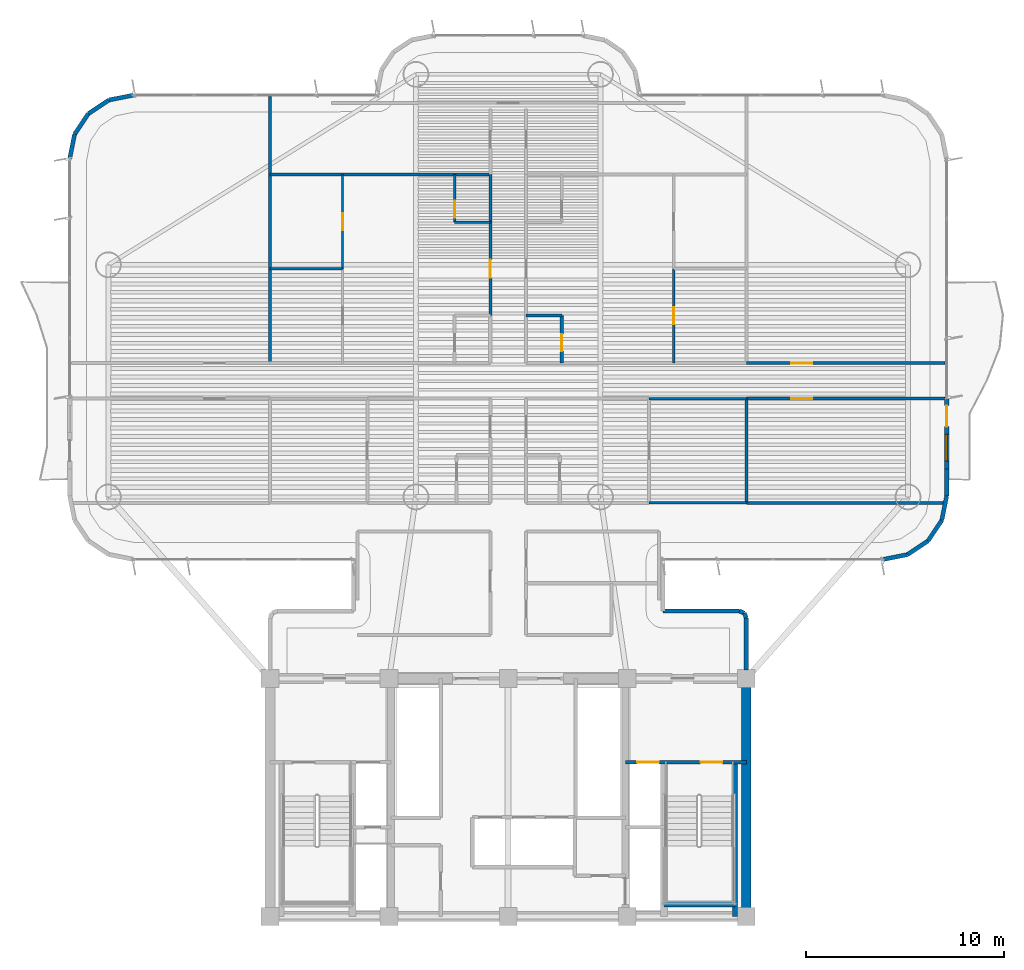
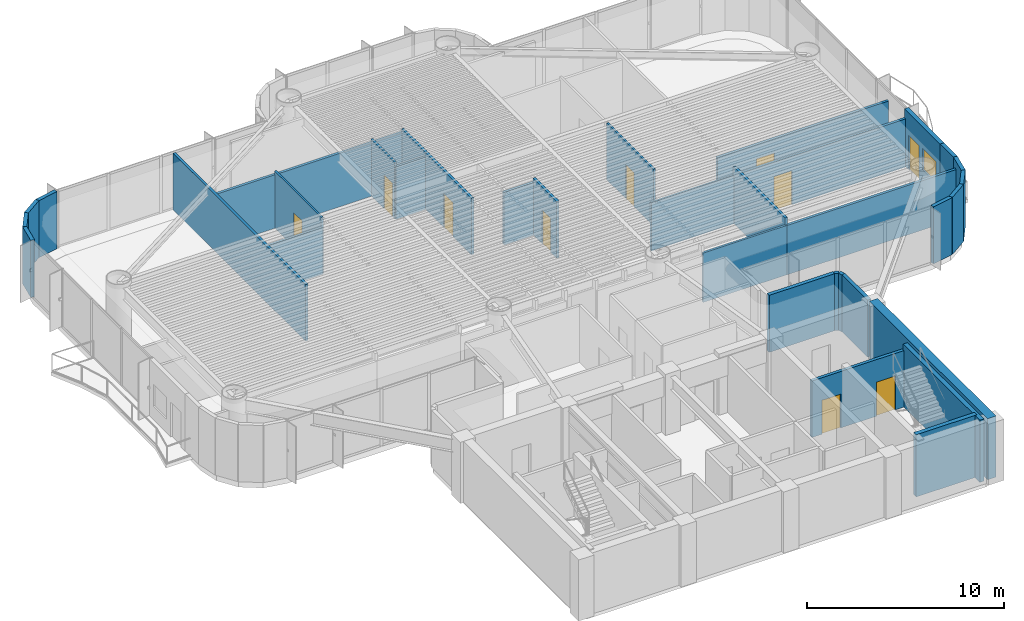
# One storey, part 11 of 17: 35 walls, 10 doors, 1 window, 11 openings.
"""IFC4 building model written with IfcOpenShell, lengths in metres."""

from ifc_helpers import new_model, si_unit, direction, frame, frame_2d, origin, origin_2d, place, context, subcontext, project, spatial, rectangle, extrude, source, transform, mapped, material, layer, layer_set, type_object, element, fill, save


model = new_model("IFC4")

# Units and contexts
model_context = context("Model", 3, precision=1e-05, world=origin(), true_north=direction((0.0, 1.0)))
body_context = subcontext(model_context, "Body", "Model", "MODEL_VIEW")
ifc_project = project(units=[si_unit("LENGTHUNIT", "METRE"), si_unit("AREAUNIT", "SQUARE_METRE"), si_unit("VOLUMEUNIT", "CUBIC_METRE"), si_unit("PLANEANGLEUNIT", "RADIAN"), si_unit("MASSUNIT", "GRAM", prefix="KILO")], contexts=[model_context])

# Site, building, storey
site_placement = place(None, origin())
site = spatial("IfcSite", under=ifc_project, at=site_placement, CompositionType="ELEMENT")
building_placement = place(site_placement, origin())
building = spatial("IfcBuilding", under=site, at=building_placement, Name="Brelvock Crest Care Tower", CompositionType="ELEMENT")
storey_placement = place(building_placement, frame((0.0, 0.0, 89.820068359375)))
storey = spatial("IfcBuildingStorey", under=building, at=storey_placement, Name="L22", CompositionType="ELEMENT", Elevation=89.820068359375)

# Walls
ifc_material_1 = material(Name="Concrete S80 (80 MPa)", Category="concrete")
ifc_layer_1 = layer(ifc_material_1, 0.5, Name="WL-CS2")
ifc_layer_set_1 = layer_set([ifc_layer_1], Name="Concrete S80 (80 MPa)")
wall_type_1 = type_object("IfcWallType", Name="WL-CS2", PredefinedType="SHEAR", material=ifc_layer_set_1)
wall_1_placement = place(storey_placement, frame((48.0, 18.0, 0.0), z_axis=(0.0, 0.0, 1.0), x_axis=(0.0, -1.0, 0.0)))
element("IfcWall", 1, at=wall_1_placement, inside=storey, type_object=wall_type_1, Name="L22 Core East Shear Wall", PredefinedType="SHEAR", context=body_context, shape_type="SweptSolid", body=[
    extrude(rectangle(XDim=12.0, YDim=0.5, at=frame_2d((6.0, 0.0))), origin(), (0.0, 0.0, 1.0), 3.780029296875),
])
ifc_layer_2 = layer(ifc_material_1, 0.25, Name="WL-CS6")
ifc_layer_set_2 = layer_set([ifc_layer_2], Name="Concrete S80 (80 MPa)")
wall_type_2 = type_object("IfcWallType", Name="WL-CS6", PredefinedType="SHEAR", material=ifc_layer_set_2)
wall_2_placement = place(storey_placement, frame((47.419921875, 6.0, 0.0), z_axis=(0.0, 0.0, 1.0), x_axis=(0.0, 1.0, 0.0)))
element("IfcWall", 2, at=wall_2_placement, inside=storey, type_object=wall_type_2, Name="L22 Core Stair ST-2 East Shear Wall", PredefinedType="SHEAR", context=body_context, shape_type="SweptSolid", body=[
    extrude(rectangle(XDim=7.780029296875, YDim=0.25, at=frame_2d((3.89013671875, 0.0))), origin(), (0.0, 0.0, 1.0), 3.849853515625),
])
wall_3_placement = place(storey_placement, frame((43.85009765625, 6.6201171875, 0.0), z_axis=(0.0, 0.0, 1.0), x_axis=(1.0, 0.0, 0.0)))
element("IfcWall", 3, at=wall_3_placement, inside=storey, type_object=wall_type_2, Name="L22 Core Stair ST-2 South Shear Wall", PredefinedType="SHEAR", context=body_context, shape_type="SweptSolid", body=[
    extrude(rectangle(XDim=3.56982421875, YDim=0.25, at=frame_2d((1.784912109375, 0.0))), origin(), (0.0, 0.0, 1.0), 3.849853515625),
])

# Wall, openings, door, window
ifc_material_2 = material(Name="Precast concrete N40 (40 MPa)", Category="concrete")
ifc_layer_3 = layer(ifc_material_2, 0.239990234375, Name="WL-EX1")
ifc_layer_set_3 = layer_set([ifc_layer_3], Name="Precast concrete N40 (40 MPa)")
wall_type_3 = type_object("IfcWallType", Name="WL-EX1", PredefinedType="SOLIDWALL", material=ifc_layer_set_3)
wall_4_placement = place(storey_placement, frame((58.10009765625, 32.14990234375, 0.0), z_axis=(0.0, 0.0, 1.0), x_axis=(0.0, -1.0, 0.0)))
wall_4 = element("IfcWall", 4, at=wall_4_placement, inside=storey, type_object=wall_type_3, Name="L22 Exterior Spandrel Wall WL-BAL-L22-E", PredefinedType="SOLIDWALL", context=body_context, shape_type="SweptSolid", body=[
    extrude(rectangle(XDim=3.599853515625, YDim=0.239990234375, at=frame_2d((1.7998046875, 0.0))), origin(), (0.0, 0.0, 1.0), 3.530029296875),
])
opening_1_placement = place(wall_4_placement, frame((0.39990234375, 0.0, 0.0)))
opening_1 = element("IfcOpeningElement", 5, at=opening_1_placement, cuts=wall_4, Name="Opening BD-1", PredefinedType="OPENING", context=body_context, shape_type="SweptSolid", body=[
    extrude(rectangle(XDim=1.050048828125, YDim=2.14990234375, at=origin_2d()), frame((0.52490234375, 0.1298828125, 1.074951171875), z_axis=(0.0, -1.0, 0.0), x_axis=(1.0, 0.0, 0.0)), (0.0, 0.0, 1.0), 0.260009765625),
])
opening_2_placement = place(wall_4_placement, frame((1.85009765625, 0.0, 0.85009765625)))
opening_2 = element("IfcOpeningElement", 6, at=opening_2_placement, cuts=wall_4, Name="Opening W-01", PredefinedType="OPENING", context=body_context, shape_type="SweptSolid", body=[
    extrude(rectangle(XDim=1.35009765625, YDim=1.35009765625, at=origin_2d()), frame((0.675048828125, 0.1298828125, 0.675048828125), z_axis=(0.0, -1.0, 0.0), x_axis=(1.0, 0.0, 0.0)), (0.0, 0.0, 1.0), 0.260009765625),
])
ifc_material_3 = material(Name="Dark Glass Double Glazed Low-E", Category="glass")
door_type_1 = type_object("IfcDoorType", Name="DR-BAL1", OperationType="NOTDEFINED", PredefinedType="DOOR", material=ifc_material_3)
shared_shape_1 = source(origin(), body_context, "Body", "SweptSolid", [
    extrude(rectangle(XDim=1.050048828125, YDim=2.14990234375, at=origin_2d()), frame((0.52490234375, 0.02490234375, 1.074951171875), z_axis=(0.0, -1.0, 0.0), x_axis=(1.0, 0.0, 0.0)), (0.0, 0.0, 1.0), 0.050048828125),
])
door_1_placement = place(opening_1_placement, origin())
door_1 = element("IfcDoor", 7, at=door_1_placement, inside=storey, type_object=door_type_1, Name="L22 E Wave Balcony Glazed Door", OperationType="SINGLE_SWING_RIGHT", OverallHeight=2.14990234375, OverallWidth=1.050048828125, PredefinedType="DOOR", context=body_context, shape_type="MappedRepresentation", body=[
    mapped(shared_shape_1, transform((0.0, 0.0, 0.0), x_axis=(1.0, 0.0, 0.0), y_axis=(0.0, 1.0, 0.0), z_axis=(0.0, 0.0, 1.0), scale=1.0)),
])
fill(opening_1, door_1)
window_type = type_object("IfcWindowType", Name="WN-EX1", PartitioningType="SINGLE_PANEL", PredefinedType="WINDOW", material=ifc_material_3)
shared_shape_2 = source(origin(), body_context, "Body", "SweptSolid", [
    extrude(rectangle(XDim=1.35009765625, YDim=1.35009765625, at=origin_2d()), frame((0.675048828125, 0.030029296875, 0.675048828125), z_axis=(0.0, -1.0, 0.0), x_axis=(1.0, 0.0, 0.0)), (0.0, 0.0, 1.0), 0.06005859375),
])
window_placement = place(opening_2_placement, origin())
window = element("IfcWindow", 8, at=window_placement, inside=storey, type_object=window_type, Name="L22 E Suite Casement Window", OverallHeight=1.35009765625, OverallWidth=1.35009765625, PartitioningType="SINGLE_PANEL", PredefinedType="WINDOW", context=body_context, shape_type="MappedRepresentation", body=[
    mapped(shared_shape_2, transform((0.0, 0.0, 0.0), x_axis=(1.0, 0.0, 0.0), y_axis=(0.0, 1.0, 0.0), z_axis=(0.0, 0.0, 1.0), scale=1.0)),
])
fill(opening_2, window)

# Walls
ifc_layer_4 = layer(ifc_material_2, 0.215087890625, Name="WL-EX2")
ifc_layer_set_4 = layer_set([ifc_layer_4], Name="Precast concrete N40 (40 MPa)")
wall_type_4 = type_object("IfcWallType", Name="WL-EX2", PredefinedType="SOLIDWALL", material=ifc_layer_set_4)
wall_5_placement = place(storey_placement, frame((47.8974609375, 21.297607421875, 0.0), z_axis=(0.0, 0.0, 1.0), x_axis=(0.382673670509, -0.923883575944, 0.0)))
element("IfcWall", 9, at=wall_5_placement, inside=storey, type_object=wall_type_4, Name="L22 Rounded Corner Wall 00", PredefinedType="SOLIDWALL", context=body_context, shape_type="SweptSolid", body=[
    extrude(rectangle(XDim=0.26806640625, YDim=0.215087890625, at=frame_2d((0.134033203125, 0.0))), origin(), (0.0, 0.0, 1.0), 3.530029296875),
])
wall_6_placement = place(storey_placement, frame((48.0, 21.050048828125, 0.0), z_axis=(0.0, 0.0, 1.0), x_axis=(0.0, -1.0, 0.0)))
element("IfcWall", 10, at=wall_6_placement, inside=storey, type_object=wall_type_4, Name="L22 Rounded Corner Wall 01", PredefinedType="SOLIDWALL", context=body_context, shape_type="SweptSolid", body=[
    extrude(rectangle(XDim=2.6201171875, YDim=0.215087890625, at=frame_2d((1.31005859375, 0.0))), origin(), (0.0, 0.0, 1.0), 3.530029296875),
])
for number, where, z_axis, x_axis, name in (
    (11, (13.89990234375, 44.199951171875, 0.0), (0.0, 0.0, 1.0), (0.195138390419, 0.980775717779, 0.0), "L22 Rounded Corner Wall 18"),
    (12, (14.1435546875, 45.424560546875, 0.0), (0.0, 0.0, 1.0), (0.555692485475, 0.831387912822, 0.0), "L22 Rounded Corner Wall 19"),
    (13, (14.83740234375, 46.462646484375, 0.0), (0.0, 0.0, 1.0), (0.831387912822, 0.555692485475, 0.0), "L22 Rounded Corner Wall 20"),
    (14, (15.87548828125, 47.156494140625, 0.0), (0.0, 0.0, 1.0), (0.980813122964, 0.194950295773, 0.0), "L22 Rounded Corner Wall 21"),
):
    element("IfcWall", number, at=place(storey_placement, frame(where, z_axis=z_axis, x_axis=x_axis)), inside=storey, type_object=wall_type_4, Name=name, PredefinedType="SOLIDWALL", context=body_context, shape_type="SweptSolid", body=[
        extrude(rectangle(XDim=1.24853515625, YDim=0.215087890625, at=frame_2d((0.624267578125, 0.0))), origin(), (0.0, 0.0, 1.0), 3.530029296875),
    ])
wall_7_placement = place(storey_placement, frame((58.10009765625, 28.550048828125, 0.0), z_axis=(0.0, 0.0, 1.0), x_axis=(0.0, -1.0, 0.0)))
element("IfcWall", 15, at=wall_7_placement, inside=storey, type_object=wall_type_4, Name="L22 Exterior Spandrel Pier E39B", PredefinedType="SOLIDWALL", context=body_context, shape_type="SweptSolid", body=[
    extrude(rectangle(XDim=1.35009765625, YDim=0.215087890625, at=frame_2d((0.675048828125, 0.0))), origin(), (0.0, 0.0, 1.0), 3.530029296875),
])
for number, where, z_axis, x_axis, name in (
    (16, (58.10009765625, 27.199951171875, 0.0), (0.0, 0.0, 1.0), (-0.195138390419, -0.980775717779, 0.0), "L22 Rounded Corner Wall 40"),
    (17, (57.8564453125, 25.975341796875, 0.0), (0.0, 0.0, 1.0), (-0.555692485475, -0.831387912822, 0.0), "L22 Rounded Corner Wall 41"),
    (18, (57.16259765625, 24.937255859375, 0.0), (0.0, 0.0, 1.0), (-0.831478245117, -0.555557312883, 0.0), "L22 Rounded Corner Wall 42"),
    (19, (56.12451171875, 24.24365234375, 0.0), (0.0, 0.0, 1.0), (-0.980775717779, -0.195138390419, 0.0), "L22 Rounded Corner Wall 43"),
):
    element("IfcWall", number, at=place(storey_placement, frame(where, z_axis=z_axis, x_axis=x_axis)), inside=storey, type_object=wall_type_4, Name=name, PredefinedType="SOLIDWALL", context=body_context, shape_type="SweptSolid", body=[
        extrude(rectangle(XDim=1.24853515625, YDim=0.215087890625, at=frame_2d((0.624267578125, 0.0))), origin(), (0.0, 0.0, 1.0), 3.530029296875),
    ])
wall_8_placement = place(storey_placement, frame((43.800048828125, 21.39990234375, 0.0), z_axis=(0.0, 0.0, 1.0), x_axis=(1.0, 0.0, 0.0)))
element("IfcWall", 20, at=wall_8_placement, inside=storey, type_object=wall_type_4, Name="L22 Rounded Corner Wall 46", PredefinedType="SOLIDWALL", context=body_context, shape_type="SweptSolid", body=[
    extrude(rectangle(XDim=3.849853515625, YDim=0.215087890625, at=frame_2d((1.9248046875, 0.0))), origin(), (0.0, 0.0, 1.0), 3.530029296875),
])
wall_9_placement = place(storey_placement, frame((47.64990234375, 21.39990234375, 0.0), z_axis=(0.0, 0.0, 1.0), x_axis=(0.924205486139, -0.381895560841, 0.0)))
element("IfcWall", 21, at=wall_9_placement, inside=storey, type_object=wall_type_4, Name="L22 Rounded Corner Wall 47", PredefinedType="SOLIDWALL", context=body_context, shape_type="SweptSolid", body=[
    extrude(rectangle(XDim=0.267822265625, YDim=0.215087890625, at=frame_2d((0.1337890625, 0.0))), origin(), (0.0, 0.0, 1.0), 3.530029296875),
])
ifc_material_4 = material(Name="Masonry Blockwork Acoustic Partition", Category="masonry")
ifc_layer_5 = layer(ifc_material_4, 0.14990234375, Name="WL-INT1")
ifc_layer_set_5 = layer_set([ifc_layer_5], Name="Masonry Blockwork Acoustic Partition")
wall_type_5 = type_object("IfcWallType", Name="WL-INT1", PredefinedType="PARTITIONING", material=ifc_layer_set_5)
wall_10_placement = place(storey_placement, frame((48.0, 26.85009765625, 0.0), z_axis=(0.0, 0.0, 1.0), x_axis=(1.0, 0.0, 0.0)))
element("IfcWall", 22, at=wall_10_placement, inside=storey, type_object=wall_type_5, Name="L22 Interior Wall WL-BX-L22-ISEO-S", PredefinedType="PARTITIONING", context=body_context, shape_type="SweptSolid", body=[
    extrude(rectangle(XDim=9.94873046875, YDim=0.14990234375, at=frame_2d((4.974365234375, 0.0))), origin(), (0.0, 0.0, 1.0), 3.054931640625),
])

# Wall, opening, door
wall_11_placement = place(storey_placement, frame((48.0, 32.10009765625, 0.0), z_axis=(0.0, 0.0, 1.0), x_axis=(1.0, 0.0, 0.0)))
wall_11 = element("IfcWall", 23, at=wall_11_placement, inside=storey, type_object=wall_type_5, Name="L22 Interior Wall WL-RM-L22-ISEO", PredefinedType="PARTITIONING", context=body_context, shape_type="SweptSolid", body=[
    extrude(rectangle(XDim=10.02001953125, YDim=0.14990234375, at=frame_2d((5.010009765625, 0.0))), origin(), (0.0, 0.0, 1.0), 2.98193359375),
])
opening_3_placement = place(wall_11_placement, frame((2.27490234375, 0.0, 0.0)))
opening_3 = element("IfcOpeningElement", 24, at=opening_3_placement, cuts=wall_11, Name="Opening CLD-1", PredefinedType="OPENING", context=body_context, shape_type="SweptSolid", body=[
    extrude(rectangle(XDim=1.050048828125, YDim=2.10009765625, at=origin_2d()), frame((0.52490234375, 0.0849609375, 1.050048828125), z_axis=(0.0, -1.0, 0.0), x_axis=(1.0, 0.0, 0.0)), (0.0, 0.0, 1.0), 0.169921875),
])
ifc_material_5 = material(Name="Engineered Hardwood Timber", Category="wood")
door_type_2 = type_object("IfcDoorType", Name="DR-CLN1", OperationType="NOTDEFINED", PredefinedType="DOOR", material=ifc_material_5)
shared_shape_3 = source(origin(), body_context, "Body", "SweptSolid", [
    extrude(rectangle(XDim=1.050048828125, YDim=2.10009765625, at=origin_2d()), frame((0.52490234375, 0.02490234375, 1.050048828125), z_axis=(0.0, -1.0, 0.0), x_axis=(1.0, 0.0, 0.0)), (0.0, 0.0, 1.0), 0.050048828125),
])
door_2_placement = place(opening_3_placement, origin())
door_2 = element("IfcDoor", 25, at=door_2_placement, inside=storey, type_object=door_type_2, Name="L22 Resident Harbour Study Door ISEO", OperationType="SINGLE_SWING_LEFT", OverallHeight=2.10009765625, OverallWidth=1.050048828125, PredefinedType="DOOR", context=body_context, shape_type="MappedRepresentation", body=[
    mapped(shared_shape_3, transform((0.0, 0.0, 0.0), x_axis=(1.0, 0.0, 0.0), y_axis=(0.0, 1.0, 0.0), z_axis=(0.0, 0.0, 1.0), scale=1.0)),
])
fill(opening_3, door_2)

wall_12_placement = place(storey_placement, frame((48.0, 33.89990234375, 0.0), z_axis=(0.0, 0.0, 1.0), x_axis=(1.0, 0.0, 0.0)))
wall_12 = element("IfcWall", 26, at=wall_12_placement, inside=storey, type_object=wall_type_5, Name="L22 Interior Wall WL-RM-L22-INEO", PredefinedType="PARTITIONING", context=body_context, shape_type="SweptSolid", body=[
    extrude(rectangle(XDim=10.02001953125, YDim=0.14990234375, at=frame_2d((5.010009765625, 0.0))), origin(), (0.0, 0.0, 1.0), 2.98193359375),
])
opening_4_placement = place(wall_12_placement, frame((2.27490234375, 0.0, 0.0)))
opening_4 = element("IfcOpeningElement", 27, at=opening_4_placement, cuts=wall_12, Name="Opening CLD-1", PredefinedType="OPENING", context=body_context, shape_type="SweptSolid", body=[
    extrude(rectangle(XDim=1.050048828125, YDim=2.10009765625, at=origin_2d()), frame((0.52490234375, 0.0849609375, 1.050048828125), z_axis=(0.0, -1.0, 0.0), x_axis=(1.0, 0.0, 0.0)), (0.0, 0.0, 1.0), 0.169921875),
])
door_3_placement = place(opening_4_placement, origin())
door_3 = element("IfcDoor", 28, at=door_3_placement, inside=storey, type_object=door_type_2, Name="L22 Resident Harbour Study Door INEO", OperationType="SINGLE_SWING_LEFT", OverallHeight=2.10009765625, OverallWidth=1.050048828125, PredefinedType="DOOR", context=body_context, shape_type="MappedRepresentation", body=[
    mapped(shared_shape_3, transform((0.0, 0.0, 0.0), x_axis=(1.0, 0.0, 0.0), y_axis=(0.0, 1.0, 0.0), z_axis=(0.0, 0.0, 1.0), scale=1.0)),
])
fill(opening_4, door_3)

# Walls
wall_13_placement = place(storey_placement, frame((24.0, 43.39990234375, 0.0), z_axis=(0.0, 0.0, 1.0), x_axis=(1.0, 0.0, 0.0)))
element("IfcWall", 29, at=wall_13_placement, inside=storey, type_object=wall_type_5, Name="L22 Interior Wall WL-BX-L22-FL-INWI-N", PredefinedType="PARTITIONING", context=body_context, shape_type="SweptSolid", body=[
    extrude(rectangle(XDim=11.10009765625, YDim=0.14990234375, at=frame_2d((5.550048828125, 0.0))), origin(), (0.0, 0.0, 1.0), 3.307861328125),
])
wall_14_placement = place(storey_placement, frame((24.0, 33.89990234375, 0.0), z_axis=(0.0, 0.0, 1.0), x_axis=(0.0, 1.0, 0.0)))
element("IfcWall", 30, at=wall_14_placement, inside=storey, type_object=wall_type_5, Name="L22 Interior Wall WL-BX-L22-INWO-E", PredefinedType="PARTITIONING", context=body_context, shape_type="SweptSolid", body=[
    extrude(rectangle(XDim=13.4208984375, YDim=0.14990234375, at=frame_2d((6.71044921875, 0.0))), origin(), (0.0, 0.0, 1.0), 3.5),
])

# Wall, opening, door
wall_15_placement = place(storey_placement, frame((35.10009765625, 36.300048828125, 0.0), z_axis=(0.0, 0.0, 1.0), x_axis=(0.0, 1.0, 0.0)))
wall_15 = element("IfcWall", 31, at=wall_15_placement, inside=storey, type_object=wall_type_5, Name="L22 Interior Wall WL-UENT-L22-INWI", PredefinedType="PARTITIONING", context=body_context, shape_type="SweptSolid", body=[
    extrude(rectangle(XDim=4.699951171875, YDim=0.14990234375, at=frame_2d((2.35009765625, 0.0))), origin(), (0.0, 0.0, 1.0), 3.5),
])
opening_5_placement = place(wall_15_placement, frame((1.889892578125, 0.0, 0.0)))
opening_5 = element("IfcOpeningElement", 32, at=opening_5_placement, cuts=wall_15, Name="Opening AD-1", PredefinedType="OPENING", context=body_context, shape_type="SweptSolid", body=[
    extrude(rectangle(XDim=0.919921875, YDim=2.10009765625, at=origin_2d()), frame((0.4599609375, 0.0849609375, 1.050048828125), z_axis=(0.0, -1.0, 0.0), x_axis=(1.0, 0.0, 0.0)), (0.0, 0.0, 1.0), 0.169921875),
])
door_type_3 = type_object("IfcDoorType", Name="DR-APT1", OperationType="NOTDEFINED", PredefinedType="DOOR", material=ifc_material_5)
shared_shape_4 = source(origin(), body_context, "Body", "SweptSolid", [
    extrude(rectangle(XDim=0.919921875, YDim=2.10009765625, at=origin_2d()), frame((0.4599609375, 0.02490234375, 1.050048828125), z_axis=(0.0, -1.0, 0.0), x_axis=(1.0, 0.0, 0.0)), (0.0, 0.0, 1.0), 0.050048828125),
])
door_4_placement = place(opening_5_placement, origin())
door_4 = element("IfcDoor", 33, at=door_4_placement, inside=storey, type_object=door_type_3, Name="L22 Apartment Entrance INWI", OperationType="SINGLE_SWING_LEFT", OverallHeight=2.10009765625, OverallWidth=0.919921875, PredefinedType="DOOR", context=body_context, shape_type="MappedRepresentation", body=[
    mapped(shared_shape_4, transform((0.0, 0.0, 0.0), x_axis=(1.0, 0.0, 0.0), y_axis=(0.0, 1.0, 0.0), z_axis=(0.0, 0.0, 1.0), scale=1.0)),
])
fill(opening_5, door_4)

# Walls
wall_16_placement = place(storey_placement, frame((35.10009765625, 41.0, 0.0), z_axis=(0.0, 0.0, 1.0), x_axis=(0.0, 1.0, 0.0)))
element("IfcWall", 34, at=wall_16_placement, inside=storey, type_object=wall_type_5, Name="L22 Interior Wall WL-UCK-L22-INWI", PredefinedType="PARTITIONING", context=body_context, shape_type="SweptSolid", body=[
    extrude(rectangle(XDim=2.39990234375, YDim=0.14990234375, at=frame_2d((1.199951171875, 0.0))), origin(), (0.0, 0.0, 1.0), 3.5),
])
wall_17_placement = place(storey_placement, frame((48.0, 26.85009765625, 0.0), z_axis=(0.0, 0.0, 1.0), x_axis=(0.0, 1.0, 0.0)))
element("IfcWall", 35, at=wall_17_placement, inside=storey, type_object=wall_type_5, Name="L22 Interior Wall WL-BX-L22-ISEIS-E", PredefinedType="PARTITIONING", context=body_context, shape_type="SweptSolid", body=[
    extrude(rectangle(XDim=5.25, YDim=0.14990234375, at=frame_2d((2.625, 0.0))), origin(), (0.0, 0.0, 1.0), 3.5),
])
ifc_material_6 = material(Name="Gypsum Plasterboard Partition", Category="gypsum")
ifc_layer_6 = layer(ifc_material_6, 0.1201171875, Name="WL-INT2")
ifc_layer_set_6 = layer_set([ifc_layer_6], Name="Gypsum Plasterboard Partition")
wall_type_6 = type_object("IfcWallType", Name="WL-INT2", PredefinedType="PARTITIONING", material=ifc_layer_set_6)
wall_18_placement = place(storey_placement, frame((43.10009765625, 26.85009765625, 0.0), z_axis=(0.0, 0.0, 1.0), x_axis=(1.0, 0.0, 0.0)))
element("IfcWall", 36, at=wall_18_placement, inside=storey, type_object=wall_type_6, Name="L22 Interior Wall WL-BX-L22-ISEIS-S", PredefinedType="PARTITIONING", context=body_context, shape_type="SweptSolid", body=[
    extrude(rectangle(XDim=4.89990234375, YDim=0.1201171875, at=frame_2d((2.449951171875, 0.0))), origin(), (0.0, 0.0, 1.0), 3.054931640625),
])
wall_19_placement = place(storey_placement, frame((43.10009765625, 32.10009765625, 0.0), z_axis=(0.0, 0.0, 1.0), x_axis=(1.0, 0.0, 0.0)))
element("IfcWall", 37, at=wall_19_placement, inside=storey, type_object=wall_type_6, Name="L22 Interior Wall WL-BX-L22-ISEIS-N", PredefinedType="PARTITIONING", context=body_context, shape_type="SweptSolid", body=[
    extrude(rectangle(XDim=4.89990234375, YDim=0.1201171875, at=frame_2d((2.449951171875, 0.0))), origin(), (0.0, 0.0, 1.0), 2.98193359375),
])
wall_20_placement = place(storey_placement, frame((24.0, 38.64990234375, 0.0), z_axis=(0.0, 0.0, 1.0), x_axis=(1.0, 0.0, 0.0)))
element("IfcWall", 38, at=wall_20_placement, inside=storey, type_object=wall_type_6, Name="L22 Interior Wall WL-UBSP-L22-INWI", PredefinedType="PARTITIONING", context=body_context, shape_type="SweptSolid", body=[
    extrude(rectangle(XDim=3.64990234375, YDim=0.1201171875, at=frame_2d((1.824951171875, 0.0))), origin(), (0.0, 0.0, 1.0), 2.90283203125),
])
wall_21_placement = place(storey_placement, frame((33.300048828125, 41.0, 0.0), z_axis=(0.0, 0.0, 1.0), x_axis=(1.0, 0.0, 0.0)))
element("IfcWall", 39, at=wall_21_placement, inside=storey, type_object=wall_type_6, Name="L22 Interior Wall WL-UKIT2-L22-INWI", PredefinedType="PARTITIONING", context=body_context, shape_type="SweptSolid", body=[
    extrude(rectangle(XDim=1.800048828125, YDim=0.1201171875, at=frame_2d((0.89990234375, 0.0))), origin(), (0.0, 0.0, 1.0), 3.259033203125),
])

# Wall, opening, door
wall_22_placement = place(storey_placement, frame((27.64990234375, 38.64990234375, 0.0), z_axis=(0.0, 0.0, 1.0), x_axis=(0.0, 1.0, 0.0)))
wall_22 = element("IfcWall", 40, at=wall_22_placement, inside=storey, type_object=wall_type_6, Name="L22 Interior Wall WL-UBD2-L22-INWI", PredefinedType="PARTITIONING", context=body_context, shape_type="SweptSolid", body=[
    extrude(rectangle(XDim=4.75, YDim=0.1201171875, at=frame_2d((2.375, 0.0))), origin(), (0.0, 0.0, 1.0), 3.5),
])
opening_6_placement = place(wall_22_placement, frame((1.945068359375, 0.0, 0.0)))
opening_6 = element("IfcOpeningElement", 41, at=opening_6_placement, cuts=wall_22, Name="Opening ID-1", PredefinedType="OPENING", context=body_context, shape_type="SweptSolid", body=[
    extrude(rectangle(XDim=0.860107421875, YDim=2.10009765625, at=origin_2d()), frame((0.43017578125, 0.070068359375, 1.050048828125), z_axis=(0.0, -1.0, 0.0), x_axis=(1.0, 0.0, 0.0)), (0.0, 0.0, 1.0), 0.14013671875),
])
door_type_4 = type_object("IfcDoorType", Name="DR-INT1", OperationType="NOTDEFINED", PredefinedType="DOOR", material=ifc_material_5)
shared_shape_5 = source(origin(), body_context, "Body", "SweptSolid", [
    extrude(rectangle(XDim=0.860107421875, YDim=2.10009765625, at=origin_2d()), frame((0.43017578125, 0.02490234375, 1.050048828125), z_axis=(0.0, -1.0, 0.0), x_axis=(1.0, 0.0, 0.0)), (0.0, 0.0, 1.0), 0.050048828125),
])
door_5_placement = place(opening_6_placement, origin())
door_5 = element("IfcDoor", 42, at=door_5_placement, inside=storey, type_object=door_type_4, Name="L22 Second Room Door INWI", OperationType="SINGLE_SWING_LEFT", OverallHeight=2.10009765625, OverallWidth=0.860107421875, PredefinedType="DOOR", context=body_context, shape_type="MappedRepresentation", body=[
    mapped(shared_shape_5, transform((0.0, 0.0, 0.0), x_axis=(1.0, 0.0, 0.0), y_axis=(0.0, 1.0, 0.0), z_axis=(0.0, 0.0, 1.0), scale=1.0)),
])
fill(opening_6, door_5)

wall_23_placement = place(storey_placement, frame((33.300048828125, 41.0, 0.0), z_axis=(0.0, 0.0, 1.0), x_axis=(0.0, 1.0, 0.0)))
wall_23 = element("IfcWall", 43, at=wall_23_placement, inside=storey, type_object=wall_type_6, Name="L22 Interior Wall WL-UKIT1-L22-INWI", PredefinedType="PARTITIONING", context=body_context, shape_type="SweptSolid", body=[
    extrude(rectangle(XDim=2.39990234375, YDim=0.1201171875, at=frame_2d((1.199951171875, 0.0))), origin(), (0.0, 0.0, 1.0), 3.5),
])
opening_7_placement = place(wall_23_placement, frame((0.219970703125, 0.0, 0.0)))
opening_7 = element("IfcOpeningElement", 44, at=opening_7_placement, cuts=wall_23, Name="Opening ID-1", PredefinedType="OPENING", context=body_context, shape_type="SweptSolid", body=[
    extrude(rectangle(XDim=0.860107421875, YDim=2.10009765625, at=origin_2d()), frame((0.43017578125, 0.070068359375, 1.050048828125), z_axis=(0.0, -1.0, 0.0), x_axis=(1.0, 0.0, 0.0)), (0.0, 0.0, 1.0), 0.14013671875),
])
door_6_placement = place(opening_7_placement, origin())
door_6 = element("IfcDoor", 45, at=door_6_placement, inside=storey, type_object=door_type_4, Name="L22 Kitchen Door INWI", OperationType="SINGLE_SWING_LEFT", OverallHeight=2.10009765625, OverallWidth=0.860107421875, PredefinedType="DOOR", context=body_context, shape_type="MappedRepresentation", body=[
    mapped(shared_shape_5, transform((0.0, 0.0, 0.0), x_axis=(1.0, 0.0, 0.0), y_axis=(0.0, 1.0, 0.0), z_axis=(0.0, 0.0, 1.0), scale=1.0)),
])
fill(opening_7, door_6)

wall_24_placement = place(storey_placement, frame((44.35009765625, 33.89990234375, 0.0), z_axis=(0.0, 0.0, 1.0), x_axis=(0.0, 1.0, 0.0)))
wall_24 = element("IfcWall", 46, at=wall_24_placement, inside=storey, type_object=wall_type_6, Name="L22 Interior Wall WL-UBD1-L22-INEI", PredefinedType="PARTITIONING", context=body_context, shape_type="SweptSolid", body=[
    extrude(rectangle(XDim=4.75, YDim=0.1201171875, at=frame_2d((2.375, 0.0))), origin(), (0.0, 0.0, 1.0), 3.5),
])
opening_8_placement = place(wall_24_placement, frame((1.945068359375, 0.0, 0.0)))
opening_8 = element("IfcOpeningElement", 47, at=opening_8_placement, cuts=wall_24, Name="Opening ID-1", PredefinedType="OPENING", context=body_context, shape_type="SweptSolid", body=[
    extrude(rectangle(XDim=0.860107421875, YDim=2.10009765625, at=origin_2d()), frame((0.43017578125, 0.070068359375, 1.050048828125), z_axis=(0.0, -1.0, 0.0), x_axis=(1.0, 0.0, 0.0)), (0.0, 0.0, 1.0), 0.14013671875),
])
door_7_placement = place(opening_8_placement, origin())
door_7 = element("IfcDoor", 48, at=door_7_placement, inside=storey, type_object=door_type_4, Name="L22 Primary Bedroom Door INEI", OperationType="SINGLE_SWING_RIGHT", OverallHeight=2.10009765625, OverallWidth=0.860107421875, PredefinedType="DOOR", context=body_context, shape_type="MappedRepresentation", body=[
    mapped(shared_shape_5, transform((0.0, 0.0, 0.0), x_axis=(1.0, 0.0, 0.0), y_axis=(0.0, 1.0, 0.0), z_axis=(0.0, 0.0, 1.0), scale=1.0)),
])
fill(opening_8, door_7)

# Wall
ifc_layer_7 = layer(ifc_material_6, 0.159912109375, Name="WL-PLM1")
ifc_layer_set_7 = layer_set([ifc_layer_7], Name="Gypsum Plasterboard Partition")
wall_type_7 = type_object("IfcWallType", Name="WL-PLM1", PredefinedType="PLUMBINGWALL", material=ifc_layer_set_7)
wall_25_placement = place(storey_placement, frame((36.89990234375, 36.300048828125, 0.0), z_axis=(0.0, 0.0, 1.0), x_axis=(1.0, 0.0, 0.0)))
element("IfcWall", 49, at=wall_25_placement, inside=storey, type_object=wall_type_7, Name="L22 Interior Wall WL-UBTH2-L22-INEI", PredefinedType="PLUMBINGWALL", context=body_context, shape_type="SweptSolid", body=[
    extrude(rectangle(XDim=1.800048828125, YDim=0.159912109375, at=frame_2d((0.89990234375, 0.0))), origin(), (0.0, 0.0, 1.0), 3.259033203125),
])

# Wall, opening, door
wall_26_placement = place(storey_placement, frame((38.699951171875, 33.89990234375, 0.0), z_axis=(0.0, 0.0, 1.0), x_axis=(0.0, 1.0, 0.0)))
wall_26 = element("IfcWall", 50, at=wall_26_placement, inside=storey, type_object=wall_type_7, Name="L22 Interior Wall WL-UBTH1-L22-INEI", PredefinedType="PLUMBINGWALL", context=body_context, shape_type="SweptSolid", body=[
    extrude(rectangle(XDim=2.400146484375, YDim=0.159912109375, at=frame_2d((1.2001953125, 0.0))), origin(), (0.0, 0.0, 1.0), 3.5),
])
opening_9_placement = place(wall_26_placement, frame((0.60009765625, 0.0, 0.0)))
opening_9 = element("IfcOpeningElement", 51, at=opening_9_placement, cuts=wall_26, Name="Opening WD-1", PredefinedType="OPENING", context=body_context, shape_type="SweptSolid", body=[
    extrude(rectangle(XDim=0.860107421875, YDim=2.10009765625, at=origin_2d()), frame((0.43017578125, 0.08984375, 1.050048828125), z_axis=(0.0, -1.0, 0.0), x_axis=(1.0, 0.0, 0.0)), (0.0, 0.0, 1.0), 0.179931640625),
])
door_type_5 = type_object("IfcDoorType", Name="DR-WC1", OperationType="NOTDEFINED", PredefinedType="DOOR", material=ifc_material_5)
shared_shape_6 = source(origin(), body_context, "Body", "SweptSolid", [
    extrude(rectangle(XDim=0.860107421875, YDim=2.10009765625, at=origin_2d()), frame((0.43017578125, 0.02490234375, 1.050048828125), z_axis=(0.0, -1.0, 0.0), x_axis=(1.0, 0.0, 0.0)), (0.0, 0.0, 1.0), 0.050048828125),
])
door_8_placement = place(opening_9_placement, origin())
door_8 = element("IfcDoor", 52, at=door_8_placement, inside=storey, type_object=door_type_5, Name="L22 Bathroom Door INEI", OperationType="SINGLE_SWING_LEFT", OverallHeight=2.10009765625, OverallWidth=0.860107421875, PredefinedType="DOOR", context=body_context, shape_type="MappedRepresentation", body=[
    mapped(shared_shape_6, transform((0.0, 0.0, 0.0), x_axis=(1.0, 0.0, 0.0), y_axis=(0.0, 1.0, 0.0), z_axis=(0.0, 0.0, 1.0), scale=1.0)),
])
fill(opening_9, door_8)

# Wall, openings, doors
ifc_layer_8 = layer(ifc_material_4, 0.179931640625, Name="WL-SHF1")
ifc_layer_set_8 = layer_set([ifc_layer_8], Name="Masonry Blockwork Acoustic Partition")
wall_type_8 = type_object("IfcWallType", Name="WL-SHF1", PredefinedType="PARTITIONING", material=ifc_layer_set_8)
wall_27_placement = place(storey_placement, frame((41.89990234375, 13.780029296875, 0.0), z_axis=(0.0, 0.0, 1.0), x_axis=(1.0, 0.0, 0.0)))
wall_27 = element("IfcWall", 53, at=wall_27_placement, inside=storey, type_object=wall_type_8, Name="L22 Interior Wall WL-ST2-N-L22", PredefinedType="PARTITIONING", context=body_context, shape_type="SweptSolid", body=[
    extrude(rectangle(XDim=6.10009765625, YDim=0.179931640625, at=frame_2d((3.050048828125, 0.0))), origin(), (0.0, 0.0, 1.0), 3.5),
])
opening_10_placement = place(wall_27_placement, frame((0.60009765625, 0.0, 0.0)))
opening_10 = element("IfcOpeningElement", 54, at=opening_10_placement, cuts=wall_27, Name="Opening LD", PredefinedType="OPENING", context=body_context, shape_type="SweptSolid", body=[
    extrude(rectangle(XDim=1.10009765625, YDim=2.10009765625, at=origin_2d()), frame((0.550048828125, 0.10009765625, 1.050048828125), z_axis=(0.0, -1.0, 0.0), x_axis=(1.0, 0.0, 0.0)), (0.0, 0.0, 1.0), 0.199951171875),
])
opening_11_placement = place(wall_27_placement, frame((3.800048828125, 0.0, 0.0)))
opening_11 = element("IfcOpeningElement", 55, at=opening_11_placement, cuts=wall_27, Name="Opening SD-1", PredefinedType="OPENING", context=body_context, shape_type="SweptSolid", body=[
    extrude(rectangle(XDim=1.10009765625, YDim=2.10009765625, at=origin_2d()), frame((0.550048828125, 0.10009765625, 1.050048828125), z_axis=(0.0, -1.0, 0.0), x_axis=(1.0, 0.0, 0.0)), (0.0, 0.0, 1.0), 0.199951171875),
])
ifc_material_7 = material(Name="Steel Grade 350", Category="steel")
door_type_6 = type_object("IfcDoorType", Name="DR-ST1", OperationType="NOTDEFINED", PredefinedType="DOOR", material=ifc_material_7)
shared_shape_7 = source(origin(), body_context, "Body", "SweptSolid", [
    extrude(rectangle(XDim=1.10009765625, YDim=2.10009765625, at=origin_2d()), frame((0.550048828125, 0.02490234375, 1.050048828125), z_axis=(0.0, -1.0, 0.0), x_axis=(1.0, 0.0, 0.0)), (0.0, 0.0, 1.0), 0.050048828125),
])
door_9_placement = place(opening_11_placement, origin())
door_9 = element("IfcDoor", 56, at=door_9_placement, inside=storey, type_object=door_type_6, Name="L22 Fire Stair ST-2 Door", OperationType="SINGLE_SWING_RIGHT", OverallHeight=2.10009765625, OverallWidth=1.10009765625, PredefinedType="DOOR", context=body_context, shape_type="MappedRepresentation", body=[
    mapped(shared_shape_7, transform((0.0, 0.0, 0.0), x_axis=(1.0, 0.0, 0.0), y_axis=(0.0, 1.0, 0.0), z_axis=(0.0, 0.0, 1.0), scale=1.0)),
])
fill(opening_11, door_9)
door_type_7 = type_object("IfcDoorType", Name="DR-LD1", OperationType="NOTDEFINED", PredefinedType="DOOR", material=ifc_material_7)
shared_shape_8 = source(origin(), body_context, "Body", "SweptSolid", [
    extrude(rectangle(XDim=1.10009765625, YDim=2.10009765625, at=origin_2d()), frame((0.550048828125, 0.02490234375, 1.050048828125), z_axis=(0.0, -1.0, 0.0), x_axis=(1.0, 0.0, 0.0)), (0.0, 0.0, 1.0), 0.050048828125),
])
door_10_placement = place(opening_10_placement, origin())
door_10 = element("IfcDoor", 57, at=door_10_placement, inside=storey, type_object=door_type_7, Name="L22 Firefighting Lift FFL-2 Landing Door", OperationType="SLIDING_TO_RIGHT", OverallHeight=2.10009765625, OverallWidth=1.10009765625, PredefinedType="DOOR", context=body_context, shape_type="MappedRepresentation", body=[
    mapped(shared_shape_8, transform((0.0, 0.0, 0.0), x_axis=(1.0, 0.0, 0.0), y_axis=(0.0, 1.0, 0.0), z_axis=(0.0, 0.0, 1.0), scale=1.0)),
])
fill(opening_10, door_10)

save(model, "model.ifc")
